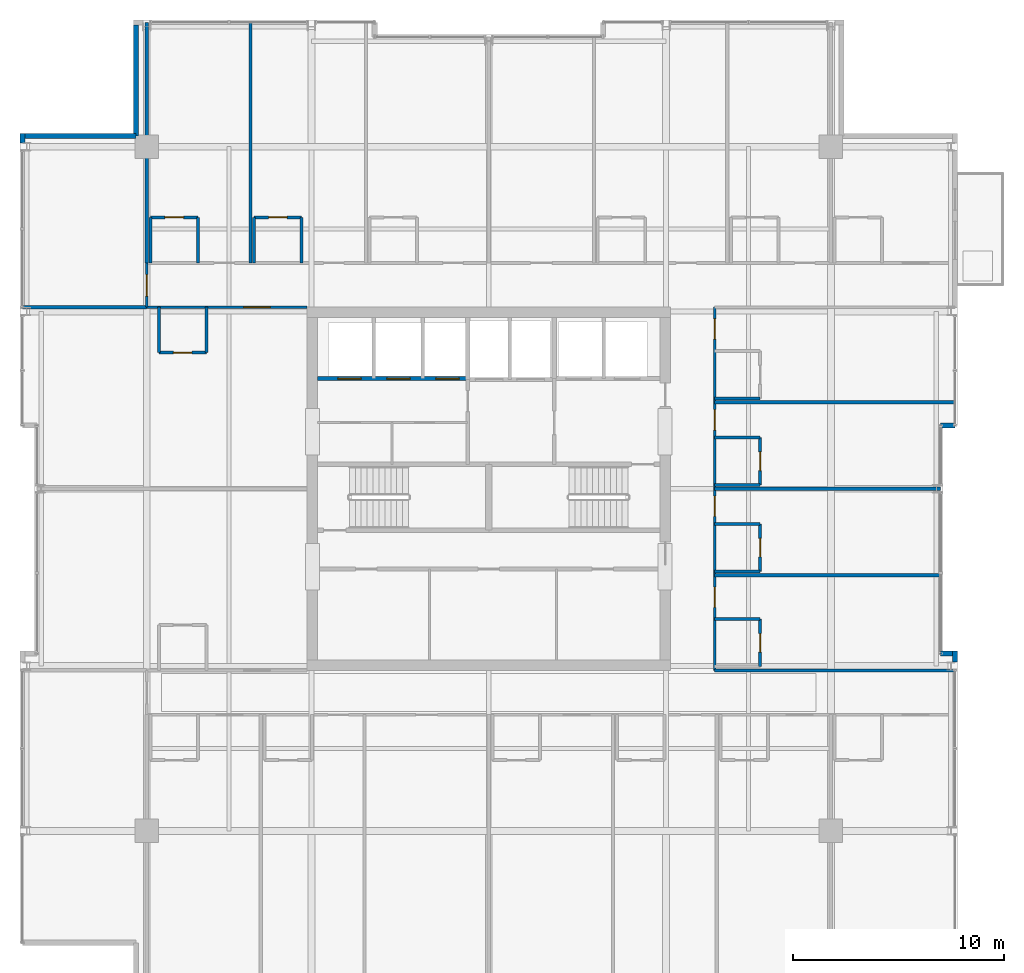
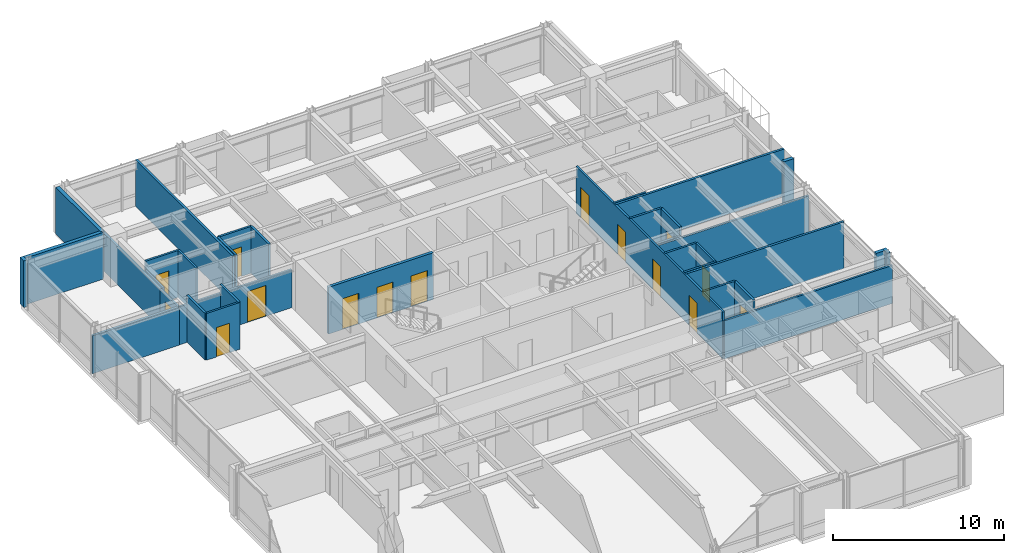
# One storey, part 29 of 34: 35 walls, 15 doors, 15 openings.
"""IFC4 building model written with IfcOpenShell, lengths in metres."""

from ifc_helpers import new_model, si_unit, direction, frame, frame_2d, origin, place, context, subcontext, project, spatial, rectangle, extrude, material, layer, layer_set, type_object, element, fill, save


model = new_model("IFC4")

# Units and contexts
model_context = context("Model", 3, precision=1e-05, world=origin(), true_north=direction((0.0, 1.0)))
body_context = subcontext(model_context, "Body", "Model", "MODEL_VIEW")
ifc_project = project(units=[si_unit("LENGTHUNIT", "METRE"), si_unit("AREAUNIT", "SQUARE_METRE"), si_unit("VOLUMEUNIT", "CUBIC_METRE"), si_unit("PLANEANGLEUNIT", "RADIAN"), si_unit("MASSUNIT", "GRAM", prefix="KILO")], contexts=[model_context])

# Site, building, storey
site_placement = place(None, origin())
site = spatial("IfcSite", under=ifc_project, at=site_placement, CompositionType="ELEMENT")
building_placement = place(site_placement, origin())
building = spatial("IfcBuilding", under=site, at=building_placement, Name="Drelvath Grand Hotel", CompositionType="ELEMENT")
storey_placement = place(building_placement, frame((0.0, 0.0, 208.699951171875)))
storey = spatial("IfcBuildingStorey", under=building, at=storey_placement, Name="L54", CompositionType="ELEMENT", Elevation=208.699951171875)

# Wall, openings, doors
ifc_material_1 = material(Name="Concrete C40/50", Category="concrete")
ifc_layer_1 = layer(ifc_material_1, 0.199951171875)
ifc_layer_set_1 = layer_set([ifc_layer_1], Name="Concrete C40/50")
wall_type_1 = type_object("IfcWallType", Name="Core Hoistway Fire Wall 200", PredefinedType="SOLIDWALL", material=ifc_layer_set_1)
wall_1_placement = place(storey_placement, frame((-8.10009765625, 32.219970703125, 0.0), z_axis=(0.0, 0.0, 1.0), x_axis=(1.0, 0.0, 0.0)))
wall_1 = element("IfcWall", 1, at=wall_1_placement, inside=storey, type_object=wall_type_1, Name="L54 Bank 3 Hoistway Wall", PredefinedType="SOLIDWALL", context=body_context, shape_type="SweptSolid", body=[
    extrude(rectangle(XDim=7.10009765625, YDim=0.199951171875, at=frame_2d((3.550048828125, 0.0))), origin(), (0.0, 0.0, 1.0), 3.340087890625),
])
opening_1_placement = place(wall_1_placement, frame((0.949951171875, 0.0, 0.0)))
opening_1 = element("IfcOpeningElement", 2, at=opening_1_placement, cuts=wall_1, Name="Opening LD-PE-7", PredefinedType="OPENING", context=body_context, shape_type="SweptSolid", body=[
    extrude(rectangle(XDim=1.10009765625, YDim=2.199951171875, at=frame_2d((0.550048828125, 1.10009765625))), frame((0.0, 0.10986328125, 0.0), z_axis=(0.0, -1.0, 0.0), x_axis=(1.0, 0.0, 0.0)), (0.0, 0.0, 1.0), 0.219970703125),
])
opening_2_placement = place(wall_1_placement, frame((3.27001953125, 0.0, 0.0)))
opening_2 = element("IfcOpeningElement", 3, at=opening_2_placement, cuts=wall_1, Name="Opening LD-PE-8", PredefinedType="OPENING", context=body_context, shape_type="SweptSolid", body=[
    extrude(rectangle(XDim=1.10009765625, YDim=2.199951171875, at=frame_2d((0.550048828125, 1.10009765625))), frame((0.0, 0.10986328125, 0.0), z_axis=(0.0, -1.0, 0.0), x_axis=(1.0, 0.0, 0.0)), (0.0, 0.0, 1.0), 0.219970703125),
])
opening_3_placement = place(wall_1_placement, frame((5.590087890625, 0.0, 0.0)))
opening_3 = element("IfcOpeningElement", 4, at=opening_3_placement, cuts=wall_1, Name="Opening LD-PE-9", PredefinedType="OPENING", context=body_context, shape_type="SweptSolid", body=[
    extrude(rectangle(XDim=1.10009765625, YDim=2.199951171875, at=frame_2d((0.550048828125, 1.10009765625))), frame((0.0, 0.10986328125, 0.0), z_axis=(0.0, -1.0, 0.0), x_axis=(1.0, 0.0, 0.0)), (0.0, 0.0, 1.0), 0.219970703125),
])
ifc_material_2 = material(Name="Stainless Steel S355", Category="steel")
door_type_1 = type_object("IfcDoorType", Name="Passenger Lift Sliding Landing Door 1100x2200", OperationType="NOTDEFINED", PredefinedType="DOOR", material=ifc_material_2)
door_1_placement = place(opening_1_placement, origin())
door_1 = element("IfcDoor", 5, at=door_1_placement, inside=storey, type_object=door_type_1, Name="L54 Lift PE-7 Landing Door", OperationType="SLIDING_TO_LEFT", OverallHeight=2.199951171875, OverallWidth=1.10009765625, PredefinedType="DOOR", context=body_context, shape_type="SweptSolid", body=[
    extrude(rectangle(XDim=1.10009765625, YDim=2.199951171875, at=frame_2d((0.550048828125, 1.10009765625))), frame((0.0, 0.02490234375, 0.0), z_axis=(0.0, -1.0, 0.0), x_axis=(1.0, 0.0, 0.0)), (0.0, 0.0, 1.0), 0.050048828125),
])
fill(opening_1, door_1)
door_2_placement = place(opening_2_placement, origin())
door_2 = element("IfcDoor", 6, at=door_2_placement, inside=storey, type_object=door_type_1, Name="L54 Lift PE-8 Landing Door", OperationType="SLIDING_TO_LEFT", OverallHeight=2.199951171875, OverallWidth=1.10009765625, PredefinedType="DOOR", context=body_context, shape_type="SweptSolid", body=[
    extrude(rectangle(XDim=1.10009765625, YDim=2.199951171875, at=frame_2d((0.550048828125, 1.10009765625))), frame((0.0, 0.02490234375, 0.0), z_axis=(0.0, -1.0, 0.0), x_axis=(1.0, 0.0, 0.0)), (0.0, 0.0, 1.0), 0.050048828125),
])
fill(opening_2, door_2)
door_3_placement = place(opening_3_placement, origin())
door_3 = element("IfcDoor", 7, at=door_3_placement, inside=storey, type_object=door_type_1, Name="L54 Lift PE-9 Landing Door", OperationType="SLIDING_TO_LEFT", OverallHeight=2.199951171875, OverallWidth=1.10009765625, PredefinedType="DOOR", context=body_context, shape_type="SweptSolid", body=[
    extrude(rectangle(XDim=1.10009765625, YDim=2.199951171875, at=frame_2d((0.550048828125, 1.10009765625))), frame((0.0, 0.02490234375, 0.0), z_axis=(0.0, -1.0, 0.0), x_axis=(1.0, 0.0, 0.0)), (0.0, 0.0, 1.0), 0.050048828125),
])
fill(opening_3, door_3)

# Wall
ifc_material_3 = material(Name="Gypsum Fireboard Partition")
ifc_layer_2 = layer(ifc_material_3, 0.135009765625)
ifc_layer_set_2 = layer_set([ifc_layer_2], Name="Gypsum Fireboard Partition")
wall_type_2 = type_object("IfcWallType", Name="Corridor Fire Barrier Wall 135", PredefinedType="PARTITIONING", material=ifc_layer_set_2)
wall_2_placement = place(storey_placement, frame((10.699951171875, 18.39990234375, 0.0), z_axis=(0.0, 0.0, 1.0), x_axis=(1.0, 0.0, 0.0)))
element("IfcWall", 8, at=wall_2_placement, inside=storey, type_object=wall_type_2, Name="L54 South Gallery Inner East Wall", PredefinedType="PARTITIONING", context=body_context, shape_type="SweptSolid", body=[
    extrude(rectangle(XDim=11.380126953125, YDim=0.135009765625, at=frame_2d((5.68994140625, 0.0))), origin(), (0.0, 0.0, 1.0), 2.717529296875),
])

# Wall, opening, door
wall_3_placement = place(storey_placement, frame((-16.199951171875, 35.60009765625, 0.0), z_axis=(0.0, 0.0, 1.0), x_axis=(1.0, 0.0, 0.0)))
wall_3 = element("IfcWall", 9, at=wall_3_placement, inside=storey, type_object=wall_type_2, Name="L54 North Gallery Inner West Wall", PredefinedType="PARTITIONING", context=body_context, shape_type="SweptSolid", body=[
    extrude(rectangle(XDim=7.599853515625, YDim=0.135009765625, at=frame_2d((3.7998046875, 0.0))), origin(), (0.0, 0.0, 1.0), 2.717529296875),
])
opening_4_placement = place(wall_3_placement, frame((4.5849609375, 0.0, 0.0)))
opening_4 = element("IfcOpeningElement", 10, at=opening_4_placement, cuts=wall_3, Name="Opening D-T4G1-058", PredefinedType="OPENING", context=body_context, shape_type="SweptSolid", body=[
    extrude(rectangle(XDim=1.260009765625, YDim=2.199951171875, at=frame_2d((0.6298828125, 1.10009765625))), frame((0.0, 0.077392578125, 0.0), z_axis=(0.0, -1.0, 0.0), x_axis=(1.0, 0.0, 0.0)), (0.0, 0.0, 1.0), 0.155029296875),
])
ifc_material_4 = material(Name="Hardwood Walnut Timber", Category="wood")
door_type_2 = type_object("IfcDoorType", Name="Suite Entrance Fire Door 1260x2200", OperationType="NOTDEFINED", PredefinedType="DOOR", material=ifc_material_4)
door_4_placement = place(opening_4_placement, origin())
door_4 = element("IfcDoor", 11, at=door_4_placement, inside=storey, type_object=door_type_2, Name="L54 Diplomatic Suite Entry Door", OperationType="SINGLE_SWING_LEFT", OverallHeight=2.199951171875, OverallWidth=1.260009765625, PredefinedType="DOOR", context=body_context, shape_type="SweptSolid", body=[
    extrude(rectangle(XDim=1.260009765625, YDim=2.199951171875, at=frame_2d((0.6298828125, 1.10009765625))), frame((0.0, 0.02490234375, 0.0), z_axis=(0.0, -1.0, 0.0), x_axis=(1.0, 0.0, 0.0)), (0.0, 0.0, 1.0), 0.050048828125),
])
fill(opening_4, door_4)

# Wall, openings, doors
wall_4_placement = place(storey_placement, frame((10.699951171875, 18.39990234375, 0.0), z_axis=(0.0, 0.0, 1.0), x_axis=(0.0, 1.0, 0.0)))
wall_4 = element("IfcWall", 12, at=wall_4_placement, inside=storey, type_object=wall_type_2, Name="L54 East Gallery Link Wall", PredefinedType="PARTITIONING", context=body_context, shape_type="SweptSolid", body=[
    extrude(rectangle(XDim=17.2001953125, YDim=0.135009765625, at=frame_2d((8.60009765625, 0.0))), origin(), (0.0, 0.0, 1.0), 3.340087890625),
])
opening_5_placement = place(wall_4_placement, frame((2.9873046875, 0.0, 0.0)))
opening_5 = element("IfcOpeningElement", 13, at=opening_5_placement, cuts=wall_4, Name="Opening D-T4G1-048", PredefinedType="OPENING", context=body_context, shape_type="SweptSolid", body=[
    extrude(rectangle(XDim=0.9599609375, YDim=2.14990234375, at=frame_2d((0.47998046875, 1.074951171875))), frame((0.0, 0.077392578125, 0.0), z_axis=(0.0, -1.0, 0.0), x_axis=(1.0, 0.0, 0.0)), (0.0, 0.0, 1.0), 0.155029296875),
])
opening_6_placement = place(wall_4_placement, frame((7.287353515625, 0.0, 0.0)))
opening_6 = element("IfcOpeningElement", 14, at=opening_6_placement, cuts=wall_4, Name="Opening D-T4G1-050", PredefinedType="OPENING", context=body_context, shape_type="SweptSolid", body=[
    extrude(rectangle(XDim=0.9599609375, YDim=2.14990234375, at=frame_2d((0.47998046875, 1.074951171875))), frame((0.0, 0.077392578125, 0.0), z_axis=(0.0, -1.0, 0.0), x_axis=(1.0, 0.0, 0.0)), (0.0, 0.0, 1.0), 0.155029296875),
])
opening_7_placement = place(wall_4_placement, frame((11.382568359375, 0.0, 0.0)))
opening_7 = element("IfcOpeningElement", 15, at=opening_7_placement, cuts=wall_4, Name="Opening D-T4G1-052", PredefinedType="OPENING", context=body_context, shape_type="SweptSolid", body=[
    extrude(rectangle(XDim=0.9599609375, YDim=2.14990234375, at=frame_2d((0.47998046875, 1.074951171875))), frame((0.0, 0.077392578125, 0.0), z_axis=(0.0, -1.0, 0.0), x_axis=(1.0, 0.0, 0.0)), (0.0, 0.0, 1.0), 0.155029296875),
])
opening_8_placement = place(wall_4_placement, frame((15.6826171875, 0.0, 0.0)))
opening_8 = element("IfcOpeningElement", 16, at=opening_8_placement, cuts=wall_4, Name="Opening D-T4G1-054", PredefinedType="OPENING", context=body_context, shape_type="SweptSolid", body=[
    extrude(rectangle(XDim=0.9599609375, YDim=2.14990234375, at=frame_2d((0.47998046875, 1.074951171875))), frame((0.0, 0.077392578125, 0.0), z_axis=(0.0, -1.0, 0.0), x_axis=(1.0, 0.0, 0.0)), (0.0, 0.0, 1.0), 0.155029296875),
])
door_type_3 = type_object("IfcDoorType", Name="Guestroom Entrance Fire Door 960x2150", OperationType="NOTDEFINED", PredefinedType="DOOR", material=ifc_material_4)
door_5_placement = place(opening_5_placement, origin())
door_5 = element("IfcDoor", 17, at=door_5_placement, inside=storey, type_object=door_type_3, Name="L54 Deluxe Guest Room Entry Door", OperationType="SINGLE_SWING_LEFT", OverallHeight=2.14990234375, OverallWidth=0.9599609375, PredefinedType="DOOR", context=body_context, shape_type="SweptSolid", body=[
    extrude(rectangle(XDim=0.9599609375, YDim=2.14990234375, at=frame_2d((0.47998046875, 1.074951171875))), frame((0.0, 0.02490234375, 0.0), z_axis=(0.0, -1.0, 0.0), x_axis=(1.0, 0.0, 0.0)), (0.0, 0.0, 1.0), 0.050048828125),
])
fill(opening_5, door_5)
door_6_placement = place(opening_6_placement, origin())
door_6 = element("IfcDoor", 18, at=door_6_placement, inside=storey, type_object=door_type_3, Name="L54 Deluxe Guest Room Entry Door", OperationType="SINGLE_SWING_LEFT", OverallHeight=2.14990234375, OverallWidth=0.9599609375, PredefinedType="DOOR", context=body_context, shape_type="SweptSolid", body=[
    extrude(rectangle(XDim=0.9599609375, YDim=2.14990234375, at=frame_2d((0.47998046875, 1.074951171875))), frame((0.0, 0.02490234375, 0.0), z_axis=(0.0, -1.0, 0.0), x_axis=(1.0, 0.0, 0.0)), (0.0, 0.0, 1.0), 0.050048828125),
])
fill(opening_6, door_6)
door_7_placement = place(opening_7_placement, origin())
door_7 = element("IfcDoor", 19, at=door_7_placement, inside=storey, type_object=door_type_3, Name="L54 Deluxe Guest Room Entry Door", OperationType="SINGLE_SWING_LEFT", OverallHeight=2.14990234375, OverallWidth=0.9599609375, PredefinedType="DOOR", context=body_context, shape_type="SweptSolid", body=[
    extrude(rectangle(XDim=0.9599609375, YDim=2.14990234375, at=frame_2d((0.47998046875, 1.074951171875))), frame((0.0, 0.02490234375, 0.0), z_axis=(0.0, -1.0, 0.0), x_axis=(1.0, 0.0, 0.0)), (0.0, 0.0, 1.0), 0.050048828125),
])
fill(opening_7, door_7)
door_8_placement = place(opening_8_placement, origin())
door_8 = element("IfcDoor", 20, at=door_8_placement, inside=storey, type_object=door_type_3, Name="L54 Deluxe Guest Room Entry Door", OperationType="SINGLE_SWING_LEFT", OverallHeight=2.14990234375, OverallWidth=0.9599609375, PredefinedType="DOOR", context=body_context, shape_type="SweptSolid", body=[
    extrude(rectangle(XDim=0.9599609375, YDim=2.14990234375, at=frame_2d((0.47998046875, 1.074951171875))), frame((0.0, 0.02490234375, 0.0), z_axis=(0.0, -1.0, 0.0), x_axis=(1.0, 0.0, 0.0)), (0.0, 0.0, 1.0), 0.050048828125),
])
fill(opening_8, door_8)

# Wall, opening, door
wall_5_placement = place(storey_placement, frame((-16.199951171875, 35.60009765625, 0.0), z_axis=(0.0, 0.0, 1.0), x_axis=(0.0, 1.0, 0.0)))
wall_5 = element("IfcWall", 21, at=wall_5_placement, inside=storey, type_object=wall_type_2, Name="L54 North Gallery West End", PredefinedType="PARTITIONING", context=body_context, shape_type="SweptSolid", body=[
    extrude(rectangle(XDim=2.099853515625, YDim=0.135009765625, at=frame_2d((1.0498046875, 0.0))), origin(), (0.0, 0.0, 1.0), 2.7138671875),
])
opening_9_placement = place(wall_5_placement, frame((0.52001953125, 0.0, 0.0)))
opening_9 = element("IfcOpeningElement", 22, at=opening_9_placement, cuts=wall_5, Name="Opening D-T4G1-020", PredefinedType="OPENING", context=body_context, shape_type="SweptSolid", body=[
    extrude(rectangle(XDim=1.02001953125, YDim=2.14990234375, at=frame_2d((0.510009765625, 1.074951171875))), frame((0.0, 0.077392578125, 0.0), z_axis=(0.0, -1.0, 0.0), x_axis=(1.0, 0.0, 0.0)), (0.0, 0.0, 1.0), 0.155029296875),
])
door_type_4 = type_object("IfcDoorType", Name="Amenity Meeting Fire Door 1020x2150", OperationType="NOTDEFINED", PredefinedType="DOOR", material=ifc_material_4)
door_9_placement = place(opening_9_placement, origin())
door_9 = element("IfcDoor", 23, at=door_9_placement, inside=storey, type_object=door_type_4, Name="L54 Corner Panorama Lounge Door", OperationType="SINGLE_SWING_LEFT", OverallHeight=2.14990234375, OverallWidth=1.02001953125, PredefinedType="DOOR", context=body_context, shape_type="SweptSolid", body=[
    extrude(rectangle(XDim=1.02001953125, YDim=2.14990234375, at=frame_2d((0.510009765625, 1.074951171875))), frame((0.0, 0.02490234375, 0.0), z_axis=(0.0, -1.0, 0.0), x_axis=(1.0, 0.0, 0.0)), (0.0, 0.0, 1.0), 0.050048828125),
])
fill(opening_9, door_9)

# Walls
ifc_material_5 = material(Name="Moisture-Resistant Gypsum Board")
ifc_layer_3 = layer(ifc_material_5, 0.139892578125)
ifc_layer_set_3 = layer_set([ifc_layer_3], Name="Moisture-Resistant Gypsum Board")
wall_type_3 = type_object("IfcWallType", Name="En-Suite Plumbing Wall 140", PredefinedType="PLUMBINGWALL", material=ifc_layer_set_3)
wall_6_placement = place(storey_placement, frame((-16.02001953125, 37.699951171875, 0.0), z_axis=(0.0, 0.0, 1.0), x_axis=(0.0, 1.0, 0.0)))
element("IfcWall", 24, at=wall_6_placement, inside=storey, type_object=wall_type_3, Name="L54 En-Suite Left Wall", PredefinedType="PLUMBINGWALL", context=body_context, shape_type="SweptSolid", body=[
    extrude(rectangle(XDim=2.150146484375, YDim=0.139892578125, at=frame_2d((1.0751953125, 0.0))), origin(), (0.0, 0.0, 1.0), 2.7138671875),
])
wall_7_placement = place(storey_placement, frame((-13.77001953125, 37.699951171875, 0.0), z_axis=(0.0, 0.0, 1.0), x_axis=(0.0, 1.0, 0.0)))
element("IfcWall", 25, at=wall_7_placement, inside=storey, type_object=wall_type_3, Name="L54 En-Suite Right Wall", PredefinedType="PLUMBINGWALL", context=body_context, shape_type="SweptSolid", body=[
    extrude(rectangle(XDim=2.150146484375, YDim=0.139892578125, at=frame_2d((1.0751953125, 0.0))), origin(), (0.0, 0.0, 1.0), 3.340087890625),
])

# Wall, opening, door
wall_8_placement = place(storey_placement, frame((-16.02001953125, 39.85009765625, 0.0), z_axis=(0.0, 0.0, 1.0), x_axis=(1.0, 0.0, 0.0)))
wall_8 = element("IfcWall", 26, at=wall_8_placement, inside=storey, type_object=wall_type_3, Name="L54 En-Suite Front Wall", PredefinedType="PLUMBINGWALL", context=body_context, shape_type="SweptSolid", body=[
    extrude(rectangle(XDim=2.25, YDim=0.139892578125, at=frame_2d((1.125, 0.0))), origin(), (0.0, 0.0, 1.0), 3.340087890625),
])
opening_10_placement = place(wall_8_placement, frame((0.68505859375, 0.0, 0.0)))
opening_10 = element("IfcOpeningElement", 27, at=opening_10_placement, cuts=wall_8, Name="Opening D-T4G1-036", PredefinedType="OPENING", context=body_context, shape_type="SweptSolid", body=[
    extrude(rectangle(XDim=0.8798828125, YDim=2.10009765625, at=frame_2d((0.43994140625, 1.050048828125))), frame((0.0, 0.079833984375, 0.0), z_axis=(0.0, -1.0, 0.0), x_axis=(1.0, 0.0, 0.0)), (0.0, 0.0, 1.0), 0.159912109375),
])
door_type_5 = type_object("IfcDoorType", Name="En-Suite Bathroom Door 880x2100", OperationType="NOTDEFINED", PredefinedType="DOOR", material=ifc_material_4)
door_10_placement = place(opening_10_placement, origin())
door_10 = element("IfcDoor", 28, at=door_10_placement, inside=storey, type_object=door_type_5, Name="L54 En-Suite Bathroom Door", OperationType="SINGLE_SWING_LEFT", OverallHeight=2.10009765625, OverallWidth=0.8798828125, PredefinedType="DOOR", context=body_context, shape_type="SweptSolid", body=[
    extrude(rectangle(XDim=0.8798828125, YDim=2.10009765625, at=frame_2d((0.43994140625, 1.050048828125))), frame((0.0, 0.02490234375, 0.0), z_axis=(0.0, -1.0, 0.0), x_axis=(1.0, 0.0, 0.0)), (0.0, 0.0, 1.0), 0.050048828125),
])
fill(opening_10, door_10)

# Walls
for number, where, z_axis, x_axis, name in (
    (29, (-11.11083984375, 37.699951171875, 0.0), (0.0, 0.0, 1.0), (0.0, 1.0, 0.0), "L54 En-Suite Left Wall"),
    (30, (-8.86083984375, 37.699951171875, 0.0), (0.0, 0.0, 1.0), (0.0, 1.0, 0.0), "L54 En-Suite Right Wall"),
):
    element("IfcWall", number, at=place(storey_placement, frame(where, z_axis=z_axis, x_axis=x_axis)), inside=storey, type_object=wall_type_3, Name=name, PredefinedType="PLUMBINGWALL", context=body_context, shape_type="SweptSolid", body=[
        extrude(rectangle(XDim=2.150146484375, YDim=0.139892578125, at=frame_2d((1.0751953125, 0.0))), origin(), (0.0, 0.0, 1.0), 3.340087890625),
    ])

# Wall, opening, door
wall_9_placement = place(storey_placement, frame((-11.11083984375, 39.85009765625, 0.0), z_axis=(0.0, 0.0, 1.0), x_axis=(1.0, 0.0, 0.0)))
wall_9 = element("IfcWall", 31, at=wall_9_placement, inside=storey, type_object=wall_type_3, Name="L54 En-Suite Front Wall", PredefinedType="PLUMBINGWALL", context=body_context, shape_type="SweptSolid", body=[
    extrude(rectangle(XDim=2.25, YDim=0.139892578125, at=frame_2d((1.125, 0.0))), origin(), (0.0, 0.0, 1.0), 3.340087890625),
])
opening_11_placement = place(wall_9_placement, frame((0.68505859375, 0.0, 0.0)))
opening_11 = element("IfcOpeningElement", 32, at=opening_11_placement, cuts=wall_9, Name="Opening D-T4G1-038", PredefinedType="OPENING", context=body_context, shape_type="SweptSolid", body=[
    extrude(rectangle(XDim=0.8798828125, YDim=2.10009765625, at=frame_2d((0.43994140625, 1.050048828125))), frame((0.0, 0.079833984375, 0.0), z_axis=(0.0, -1.0, 0.0), x_axis=(1.0, 0.0, 0.0)), (0.0, 0.0, 1.0), 0.159912109375),
])
door_11_placement = place(opening_11_placement, origin())
door_11 = element("IfcDoor", 33, at=door_11_placement, inside=storey, type_object=door_type_5, Name="L54 En-Suite Bathroom Door", OperationType="SINGLE_SWING_LEFT", OverallHeight=2.10009765625, OverallWidth=0.8798828125, PredefinedType="DOOR", context=body_context, shape_type="SweptSolid", body=[
    extrude(rectangle(XDim=0.8798828125, YDim=2.10009765625, at=frame_2d((0.43994140625, 1.050048828125))), frame((0.0, 0.02490234375, 0.0), z_axis=(0.0, -1.0, 0.0), x_axis=(1.0, 0.0, 0.0)), (0.0, 0.0, 1.0), 0.050048828125),
])
fill(opening_11, door_11)

# Wall
wall_10_placement = place(storey_placement, frame((10.699951171875, 20.830078125, 0.0), z_axis=(0.0, 0.0, 1.0), x_axis=(1.0, 0.0, 0.0)))
element("IfcWall", 34, at=wall_10_placement, inside=storey, type_object=wall_type_3, Name="L54 En-Suite Right Wall", PredefinedType="PLUMBINGWALL", context=body_context, shape_type="SweptSolid", body=[
    extrude(rectangle(XDim=2.150146484375, YDim=0.139892578125, at=frame_2d((1.0751953125, 0.0))), origin(), (0.0, 0.0, 1.0), 3.340087890625),
])

# Wall, opening, door
wall_11_placement = place(storey_placement, frame((12.85009765625, 18.580078125, 0.0), z_axis=(0.0, 0.0, 1.0), x_axis=(0.0, 1.0, 0.0)))
wall_11 = element("IfcWall", 35, at=wall_11_placement, inside=storey, type_object=wall_type_3, Name="L54 En-Suite Front Wall", PredefinedType="PLUMBINGWALL", context=body_context, shape_type="SweptSolid", body=[
    extrude(rectangle(XDim=2.25, YDim=0.139892578125, at=frame_2d((1.125, 0.0))), origin(), (0.0, 0.0, 1.0), 3.340087890625),
])
opening_12_placement = place(wall_11_placement, frame((0.68505859375, 0.0, 0.0)))
opening_12 = element("IfcOpeningElement", 36, at=opening_12_placement, cuts=wall_11, Name="Opening D-T4G1-047", PredefinedType="OPENING", context=body_context, shape_type="SweptSolid", body=[
    extrude(rectangle(XDim=0.8798828125, YDim=2.10009765625, at=frame_2d((0.43994140625, 1.050048828125))), frame((0.0, 0.079833984375, 0.0), z_axis=(0.0, -1.0, 0.0), x_axis=(1.0, 0.0, 0.0)), (0.0, 0.0, 1.0), 0.159912109375),
])
door_12_placement = place(opening_12_placement, origin())
door_12 = element("IfcDoor", 37, at=door_12_placement, inside=storey, type_object=door_type_5, Name="L54 En-Suite Bathroom Door", OperationType="SINGLE_SWING_RIGHT", OverallHeight=2.10009765625, OverallWidth=0.8798828125, PredefinedType="DOOR", context=body_context, shape_type="SweptSolid", body=[
    extrude(rectangle(XDim=0.8798828125, YDim=2.10009765625, at=frame_2d((0.43994140625, 1.050048828125))), frame((0.0, 0.02490234375, 0.0), z_axis=(0.0, -1.0, 0.0), x_axis=(1.0, 0.0, 0.0)), (0.0, 0.0, 1.0), 0.050048828125),
])
fill(opening_12, door_12)

# Walls
for number, where, z_axis, x_axis, name in (
    (38, (10.699951171875, 23.084716796875, 0.0), (0.0, 0.0, 1.0), (1.0, 0.0, 0.0), "L54 En-Suite Left Wall"),
    (39, (10.699951171875, 25.334716796875, 0.0), (0.0, 0.0, 1.0), (1.0, 0.0, 0.0), "L54 En-Suite Right Wall"),
):
    element("IfcWall", number, at=place(storey_placement, frame(where, z_axis=z_axis, x_axis=x_axis)), inside=storey, type_object=wall_type_3, Name=name, PredefinedType="PLUMBINGWALL", context=body_context, shape_type="SweptSolid", body=[
        extrude(rectangle(XDim=2.150146484375, YDim=0.139892578125, at=frame_2d((1.0751953125, 0.0))), origin(), (0.0, 0.0, 1.0), 3.340087890625),
    ])

# Wall, opening, door
wall_12_placement = place(storey_placement, frame((12.85009765625, 23.084716796875, 0.0), z_axis=(0.0, 0.0, 1.0), x_axis=(0.0, 1.0, 0.0)))
wall_12 = element("IfcWall", 40, at=wall_12_placement, inside=storey, type_object=wall_type_3, Name="L54 En-Suite Front Wall", PredefinedType="PLUMBINGWALL", context=body_context, shape_type="SweptSolid", body=[
    extrude(rectangle(XDim=2.25, YDim=0.139892578125, at=frame_2d((1.125, 0.0))), origin(), (0.0, 0.0, 1.0), 3.340087890625),
])
opening_13_placement = place(wall_12_placement, frame((0.68505859375, 0.0, 0.0)))
opening_13 = element("IfcOpeningElement", 41, at=opening_13_placement, cuts=wall_12, Name="Opening D-T4G1-049", PredefinedType="OPENING", context=body_context, shape_type="SweptSolid", body=[
    extrude(rectangle(XDim=0.8798828125, YDim=2.10009765625, at=frame_2d((0.43994140625, 1.050048828125))), frame((0.0, 0.079833984375, 0.0), z_axis=(0.0, -1.0, 0.0), x_axis=(1.0, 0.0, 0.0)), (0.0, 0.0, 1.0), 0.159912109375),
])
door_13_placement = place(opening_13_placement, origin())
door_13 = element("IfcDoor", 42, at=door_13_placement, inside=storey, type_object=door_type_5, Name="L54 En-Suite Bathroom Door", OperationType="SINGLE_SWING_RIGHT", OverallHeight=2.10009765625, OverallWidth=0.8798828125, PredefinedType="DOOR", context=body_context, shape_type="SweptSolid", body=[
    extrude(rectangle(XDim=0.8798828125, YDim=2.10009765625, at=frame_2d((0.43994140625, 1.050048828125))), frame((0.0, 0.02490234375, 0.0), z_axis=(0.0, -1.0, 0.0), x_axis=(1.0, 0.0, 0.0)), (0.0, 0.0, 1.0), 0.050048828125),
])
fill(opening_13, door_13)

# Walls
wall_13_placement = place(storey_placement, frame((10.699951171875, 27.179931640625, 0.0), z_axis=(0.0, 0.0, 1.0), x_axis=(1.0, 0.0, 0.0)))
element("IfcWall", 43, at=wall_13_placement, inside=storey, type_object=wall_type_3, Name="L54 En-Suite Left Wall", PredefinedType="PLUMBINGWALL", context=body_context, shape_type="SweptSolid", body=[
    extrude(rectangle(XDim=2.150146484375, YDim=0.139892578125, at=frame_2d((1.0751953125, 0.0))), origin(), (0.0, 0.0, 1.0), 2.717529296875),
])
wall_14_placement = place(storey_placement, frame((10.699951171875, 29.429931640625, 0.0), z_axis=(0.0, 0.0, 1.0), x_axis=(1.0, 0.0, 0.0)))
element("IfcWall", 44, at=wall_14_placement, inside=storey, type_object=wall_type_3, Name="L54 En-Suite Right Wall", PredefinedType="PLUMBINGWALL", context=body_context, shape_type="SweptSolid", body=[
    extrude(rectangle(XDim=2.150146484375, YDim=0.139892578125, at=frame_2d((1.0751953125, 0.0))), origin(), (0.0, 0.0, 1.0), 3.340087890625),
])

# Wall, opening, door
wall_15_placement = place(storey_placement, frame((12.85009765625, 27.179931640625, 0.0), z_axis=(0.0, 0.0, 1.0), x_axis=(0.0, 1.0, 0.0)))
wall_15 = element("IfcWall", 45, at=wall_15_placement, inside=storey, type_object=wall_type_3, Name="L54 En-Suite Front Wall", PredefinedType="PLUMBINGWALL", context=body_context, shape_type="SweptSolid", body=[
    extrude(rectangle(XDim=2.25, YDim=0.139892578125, at=frame_2d((1.125, 0.0))), origin(), (0.0, 0.0, 1.0), 3.340087890625),
])
opening_14_placement = place(wall_15_placement, frame((0.68505859375, 0.0, 0.0)))
opening_14 = element("IfcOpeningElement", 46, at=opening_14_placement, cuts=wall_15, Name="Opening D-T4G1-051", PredefinedType="OPENING", context=body_context, shape_type="SweptSolid", body=[
    extrude(rectangle(XDim=0.8798828125, YDim=2.10009765625, at=frame_2d((0.43994140625, 1.050048828125))), frame((0.0, 0.079833984375, 0.0), z_axis=(0.0, -1.0, 0.0), x_axis=(1.0, 0.0, 0.0)), (0.0, 0.0, 1.0), 0.159912109375),
])
door_14_placement = place(opening_14_placement, origin())
door_14 = element("IfcDoor", 47, at=door_14_placement, inside=storey, type_object=door_type_5, Name="L54 En-Suite Bathroom Door", OperationType="SINGLE_SWING_RIGHT", OverallHeight=2.10009765625, OverallWidth=0.8798828125, PredefinedType="DOOR", context=body_context, shape_type="SweptSolid", body=[
    extrude(rectangle(XDim=0.8798828125, YDim=2.10009765625, at=frame_2d((0.43994140625, 1.050048828125))), frame((0.0, 0.02490234375, 0.0), z_axis=(0.0, -1.0, 0.0), x_axis=(1.0, 0.0, 0.0)), (0.0, 0.0, 1.0), 0.050048828125),
])
fill(opening_14, door_14)

# Walls
for number, where, z_axis, x_axis, name in (
    (48, (10.699951171875, 31.275146484375, 0.0), (0.0, 0.0, 1.0), (1.0, 0.0, 0.0), "L54 En-Suite Left Wall"),
    (49, (-15.6201171875, 35.60009765625, 0.0), (0.0, 0.0, 1.0), (0.0, -1.0, 0.0), "L54 En-Suite Left Wall"),
    (50, (-13.3701171875, 35.60009765625, 0.0), (0.0, 0.0, 1.0), (0.0, -1.0, 0.0), "L54 En-Suite Right Wall"),
):
    element("IfcWall", number, at=place(storey_placement, frame(where, z_axis=z_axis, x_axis=x_axis)), inside=storey, type_object=wall_type_3, Name=name, PredefinedType="PLUMBINGWALL", context=body_context, shape_type="SweptSolid", body=[
        extrude(rectangle(XDim=2.150146484375, YDim=0.139892578125, at=frame_2d((1.0751953125, 0.0))), origin(), (0.0, 0.0, 1.0), 3.340087890625),
    ])

# Wall, opening, door
wall_16_placement = place(storey_placement, frame((-15.6201171875, 33.449951171875, 0.0), z_axis=(0.0, 0.0, 1.0), x_axis=(1.0, 0.0, 0.0)))
wall_16 = element("IfcWall", 51, at=wall_16_placement, inside=storey, type_object=wall_type_3, Name="L54 En-Suite Front Wall", PredefinedType="PLUMBINGWALL", context=body_context, shape_type="SweptSolid", body=[
    extrude(rectangle(XDim=2.25, YDim=0.139892578125, at=frame_2d((1.125, 0.0))), origin(), (0.0, 0.0, 1.0), 3.340087890625),
])
opening_15_placement = place(wall_16_placement, frame((0.68505859375, 0.0, 0.0)))
opening_15 = element("IfcOpeningElement", 52, at=opening_15_placement, cuts=wall_16, Name="Opening D-T4G1-057", PredefinedType="OPENING", context=body_context, shape_type="SweptSolid", body=[
    extrude(rectangle(XDim=0.8798828125, YDim=2.10009765625, at=frame_2d((0.43994140625, 1.050048828125))), frame((0.0, 0.079833984375, 0.0), z_axis=(0.0, -1.0, 0.0), x_axis=(1.0, 0.0, 0.0)), (0.0, 0.0, 1.0), 0.159912109375),
])
door_15_placement = place(opening_15_placement, origin())
door_15 = element("IfcDoor", 53, at=door_15_placement, inside=storey, type_object=door_type_5, Name="L54 En-Suite Bathroom Door", OperationType="SINGLE_SWING_RIGHT", OverallHeight=2.10009765625, OverallWidth=0.8798828125, PredefinedType="DOOR", context=body_context, shape_type="SweptSolid", body=[
    extrude(rectangle(XDim=0.8798828125, YDim=2.10009765625, at=frame_2d((0.43994140625, 1.050048828125))), frame((0.0, 0.02490234375, 0.0), z_axis=(0.0, -1.0, 0.0), x_axis=(1.0, 0.0, 0.0)), (0.0, 0.0, 1.0), 0.050048828125),
])
fill(opening_15, door_15)

# Walls
ifc_material_6 = material(Name="Gypsum Acoustic Partition")
ifc_layer_4 = layer(ifc_material_6, 0.14990234375)
ifc_layer_set_4 = layer_set([ifc_layer_4], Name="Gypsum Acoustic Partition")
wall_type_4 = type_object("IfcWallType", Name="Guestroom Demising Wall 150", PredefinedType="PARTITIONING", material=ifc_layer_set_4)
wall_17_placement = place(storey_placement, frame((-11.291015625, 37.699951171875, 0.0), z_axis=(0.0, 0.0, 1.0), x_axis=(0.0, 1.0, 0.0)))
element("IfcWall", 54, at=wall_17_placement, inside=storey, type_object=wall_type_4, Name="L54 North Demising 1", PredefinedType="PARTITIONING", context=body_context, shape_type="SweptSolid", body=[
    extrude(rectangle(XDim=11.380126953125, YDim=0.14990234375, at=frame_2d((5.68994140625, 0.0))), origin(), (0.0, 0.0, 1.0), 3.340087890625),
])
wall_18_placement = place(storey_placement, frame((10.699951171875, 22.90478515625, 0.0), z_axis=(0.0, 0.0, 1.0), x_axis=(1.0, 0.0, 0.0)))
element("IfcWall", 55, at=wall_18_placement, inside=storey, type_object=wall_type_4, Name="L54 East Demising 1", PredefinedType="PARTITIONING", context=body_context, shape_type="SweptSolid", body=[
    extrude(rectangle(XDim=10.699951171875, YDim=0.14990234375, at=frame_2d((5.35009765625, 0.0))), origin(), (0.0, 0.0, 1.0), 3.340087890625),
])
wall_19_placement = place(storey_placement, frame((10.699951171875, 27.0, 0.0), z_axis=(0.0, 0.0, 1.0), x_axis=(1.0, 0.0, 0.0)))
element("IfcWall", 56, at=wall_19_placement, inside=storey, type_object=wall_type_4, Name="L54 East Demising 2", PredefinedType="PARTITIONING", context=body_context, shape_type="SweptSolid", body=[
    extrude(rectangle(XDim=10.699951171875, YDim=0.14990234375, at=frame_2d((5.35009765625, 0.0))), origin(), (0.0, 0.0, 1.0), 2.717529296875),
])
wall_20_placement = place(storey_placement, frame((10.699951171875, 31.09521484375, 0.0), z_axis=(0.0, 0.0, 1.0), x_axis=(1.0, 0.0, 0.0)))
element("IfcWall", 57, at=wall_20_placement, inside=storey, type_object=wall_type_4, Name="L54 East Demising 3", PredefinedType="PARTITIONING", context=body_context, shape_type="SweptSolid", body=[
    extrude(rectangle(XDim=11.380126953125, YDim=0.14990234375, at=frame_2d((5.68994140625, 0.0))), origin(), (0.0, 0.0, 1.0), 3.340087890625),
])
ifc_layer_5 = layer(ifc_material_6, 0.1650390625)
ifc_layer_set_5 = layer_set([ifc_layer_5], Name="Gypsum Acoustic Partition")
wall_type_5 = type_object("IfcWallType", Name="Suite Demising Wall 165", PredefinedType="PARTITIONING", material=ifc_layer_set_5)
wall_21_placement = place(storey_placement, frame((-16.199951171875, 37.699951171875, 0.0), z_axis=(0.0, 0.0, 1.0), x_axis=(0.0, 1.0, 0.0)))
element("IfcWall", 58, at=wall_21_placement, inside=storey, type_object=wall_type_5, Name="L54 NW Suite Wall", PredefinedType="PARTITIONING", context=body_context, shape_type="SweptSolid", body=[
    extrude(rectangle(XDim=11.380126953125, YDim=0.1650390625, at=frame_2d((5.68994140625, 0.0))), origin(), (0.0, 0.0, 1.0), 2.7138671875),
])
wall_22_placement = place(storey_placement, frame((-22.080078125, 35.60009765625, 0.0), z_axis=(0.0, 0.0, 1.0), x_axis=(1.0, 0.0, 0.0)))
element("IfcWall", 59, at=wall_22_placement, inside=storey, type_object=wall_type_5, Name="L54 NW Corner South Wall", PredefinedType="PARTITIONING", context=body_context, shape_type="SweptSolid", body=[
    extrude(rectangle(XDim=5.880126953125, YDim=0.1650390625, at=frame_2d((2.93994140625, 0.0))), origin(), (0.0, 0.0, 1.0), 2.7138671875),
])
ifc_material_7 = material(Name="Pale-Metal Insulated Aluminium Spandrel Assembly", Category="aluminium")
ifc_layer_6 = layer(ifc_material_7, 0.239990234375)
ifc_layer_set_6 = layer_set([ifc_layer_6], Name="Pale-Metal Insulated Aluminium Spandrel Assembly")
wall_type_6 = type_object("IfcWallType", Name="Tower Insulated Metal Spandrel Closure Wall 240", PredefinedType="STANDARD", material=ifc_layer_set_6)
wall_23_placement = place(storey_placement, frame((-22.080078125, 43.38525390625, 0.0), z_axis=(0.0, 0.0, 1.0), x_axis=(0.0, 1.0, 0.0)))
element("IfcWall", 60, at=wall_23_placement, inside=storey, type_object=wall_type_6, Name="L54 Corner Pier Spandrel Wall WN3", PredefinedType="STANDARD", context=body_context, shape_type="SweptSolid", body=[
    extrude(rectangle(XDim=0.434814453125, YDim=0.239990234375, at=frame_2d((0.21728515625, 0.0))), origin(), (0.0, 0.0, 1.0), 3.340087890625),
])
wall_24_placement = place(storey_placement, frame((22.080078125, 19.320068359375, 0.0), z_axis=(0.0, 0.0, 1.0), x_axis=(0.0, -1.0, 0.0)))
element("IfcWall", 61, at=wall_24_placement, inside=storey, type_object=wall_type_6, Name="L54 Corner Pier Spandrel Wall ES3", PredefinedType="STANDARD", context=body_context, shape_type="SweptSolid", body=[
    extrude(rectangle(XDim=0.53466796875, YDim=0.239990234375, at=frame_2d((0.267333984375, 0.0))), origin(), (0.0, 0.0, 1.0), 3.340087890625),
])
for number, where, z_axis, x_axis, name in (
    (62, (-21.9599609375, 43.699951171875, 0.0), (0.0, 0.0, 1.0), (1.0, 0.0, 0.0), "L54 Notched Corner Return Spandrel Wall CNW1"),
    (63, (-16.699951171875, 43.699951171875, 0.0), (0.0, 0.0, 1.0), (0.0, 1.0, 0.0), "L54 Notched Corner Return Spandrel Wall CNW2"),
):
    element("IfcWall", number, at=place(storey_placement, frame(where, z_axis=z_axis, x_axis=x_axis)), inside=storey, type_object=wall_type_6, Name=name, PredefinedType="STANDARD", context=body_context, shape_type="SweptSolid", body=[
        extrude(rectangle(XDim=5.260009765625, YDim=0.239990234375, at=frame_2d((2.6298828125, 0.0))), origin(), (0.0, 0.0, 1.0), 3.340087890625),
    ])
wall_25_placement = place(storey_placement, frame((22.080078125, 30.0, 0.0), z_axis=(0.0, 0.0, 1.0), x_axis=(-1.0, 0.0, 0.0)))
element("IfcWall", 64, at=wall_25_placement, inside=storey, type_object=wall_type_6, Name="L54 Notched Corner Return Spandrel Wall RE1", PredefinedType="STANDARD", context=body_context, shape_type="SweptSolid", body=[
    extrude(rectangle(XDim=0.68017578125, YDim=0.239990234375, at=frame_2d((0.340087890625, 0.0))), origin(), (0.0, 0.0, 1.0), 3.340087890625),
])
wall_26_placement = place(storey_placement, frame((21.39990234375, 19.199951171875, 0.0), z_axis=(0.0, 0.0, 1.0), x_axis=(1.0, 0.0, 0.0)))
element("IfcWall", 65, at=wall_26_placement, inside=storey, type_object=wall_type_6, Name="L54 Notched Corner Return Spandrel Wall RE2", PredefinedType="STANDARD", context=body_context, shape_type="SweptSolid", body=[
    extrude(rectangle(XDim=0.56005859375, YDim=0.239990234375, at=frame_2d((0.280029296875, 0.0))), origin(), (0.0, 0.0, 1.0), 3.340087890625),
])

save(model, "model.ifc")
